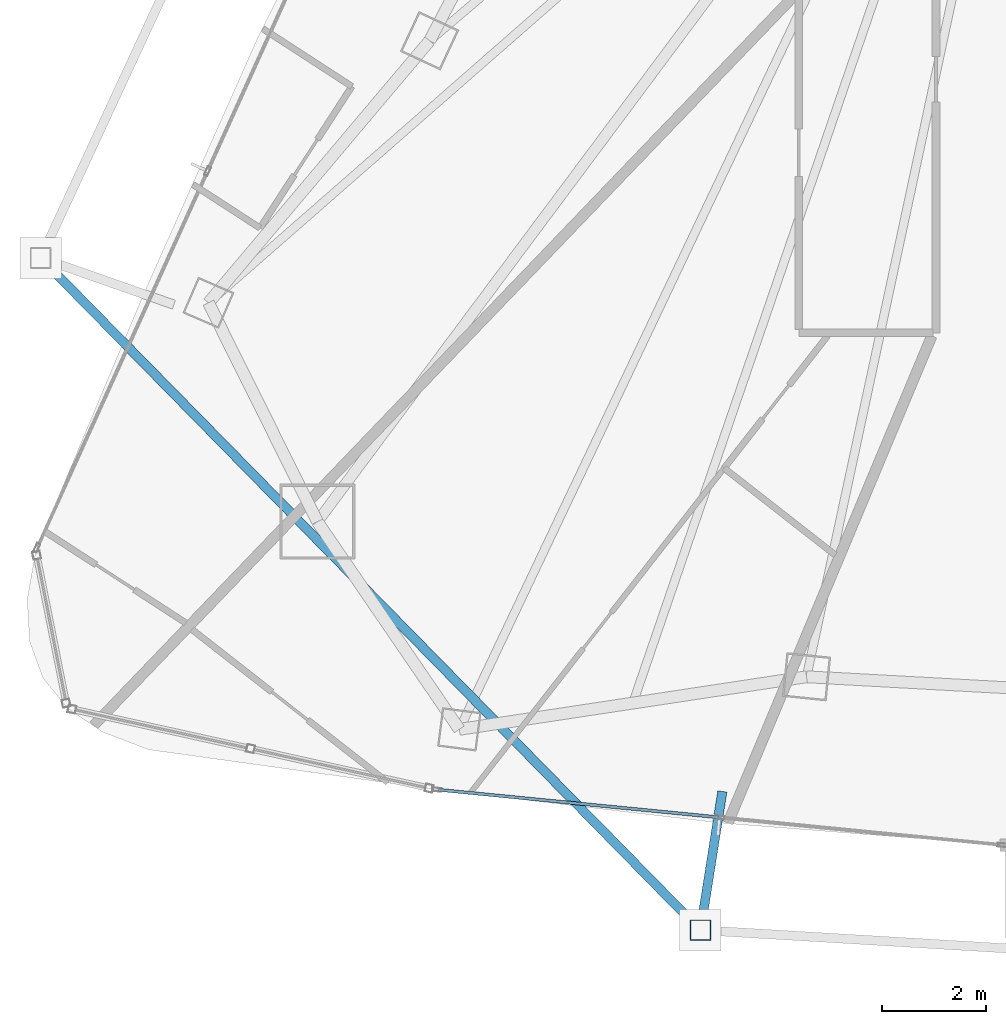
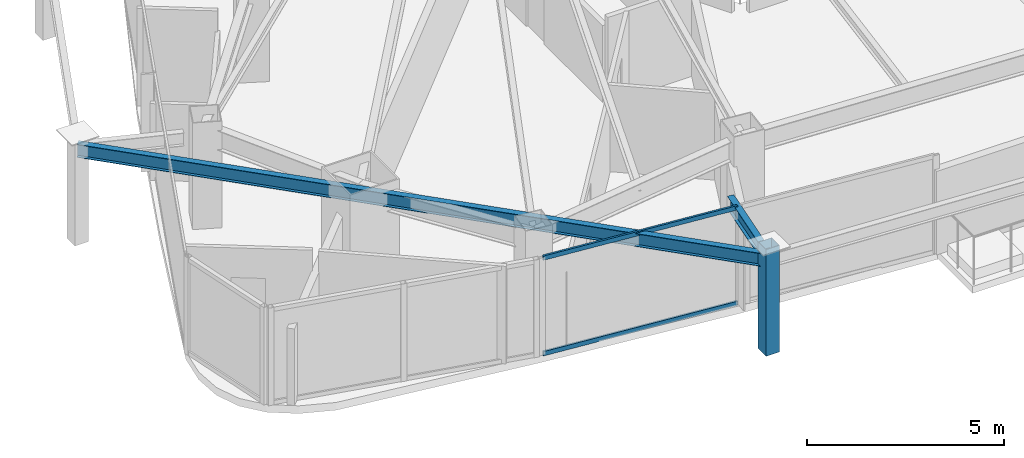
# One storey, part 3 of 31: 3 members, 2 beams, 1 element without a shape of its own.
"""IFC4 building model written with IfcOpenShell, lengths in metres."""

from ifc_helpers import new_model, si_unit, direction, frame, origin, origin_2d, place, context, subcontext, project, spatial, hollow_rectangle, i_section, extrude, material, layer, layer_set, material_profile, profile_set, type_object, element, aggregate, save


model = new_model("IFC4")

# Units and contexts
model_context = context("Model", 3, precision=1e-05, world=origin(), true_north=direction((0.0, 1.0)))
body_context = subcontext(model_context, "Body", "Model", "MODEL_VIEW")
ifc_project = project(units=[si_unit("LENGTHUNIT", "METRE"), si_unit("AREAUNIT", "SQUARE_METRE"), si_unit("VOLUMEUNIT", "CUBIC_METRE"), si_unit("PLANEANGLEUNIT", "RADIAN"), si_unit("MASSUNIT", "GRAM", prefix="KILO")], contexts=[model_context])

# Site, building, storey
site_placement = place(None, origin())
site = spatial("IfcSite", under=ifc_project, at=site_placement, CompositionType="ELEMENT")
building_placement = place(site_placement, origin())
building = spatial("IfcBuilding", under=site, at=building_placement, Name="Orvanel Arch Residences", CompositionType="ELEMENT")
storey_placement = place(building_placement, frame((0.0, 0.0, 183.64990234375)))
storey = spatial("IfcBuildingStorey", under=building, at=storey_placement, Name="L52", CompositionType="ELEMENT", Elevation=183.64990234375)

# Beams
ifc_material_1 = material(Name="Structural steel AS/NZS 3679.1 Grade 300 (300 MPa)", Category="steel")
ifc_material_profile_1 = material_profile(ifc_material_1, i_section(OverallWidth=0.177978515625, OverallDepth=0.406005859375, WebThickness=0.0078125, FlangeThickness=0.0126953125, at=origin_2d()), Name="410UB59.7")
ifc_profile_set_1 = profile_set([ifc_material_profile_1], Name="Structural steel AS/NZS 3679.1 Grade 300 (300 MPa)")
beam_type = type_object("IfcBeamType", Name="OB-410UB-EXT", PredefinedType="SPANDREL", material=ifc_profile_set_1)
beam_1_placement = place(storey_placement, frame((8.85400390625, 15.445068359375, 2.817138671875), z_axis=(0.700481005601, -0.713671045225, 0.0), x_axis=(0.713671045225, 0.700481005601, 0.0)))
element("IfcBeam", 1, at=beam_1_placement, inside=storey, type_object=beam_type, Name="L52 Outer Perimeter Floor Ring Beam 04", PredefinedType="SPANDREL", context=body_context, shape_type="SweptSolid", body=[
    extrude(i_section(OverallWidth=0.177978515625, OverallDepth=0.406005859375, WebThickness=0.0078125, FlangeThickness=0.0126953125, at=origin_2d()), origin(), (0.0, 0.0, 1.0), 18.19482421875),
])
beam_2_placement = place(storey_placement, frame((22.02294921875, 5.139892578125, 2.817138671875), z_axis=(-0.156207463616, -0.987724267349, 0.0), x_axis=(0.987724267349, -0.156207463616, 0.0)))
element("IfcBeam", 2, at=beam_2_placement, inside=storey, type_object=beam_type, Name="L52 Outer Frame Radial Tie Beam 05", PredefinedType="SPANDREL", context=body_context, shape_type="SweptSolid", body=[
    extrude(i_section(OverallWidth=0.177978515625, OverallDepth=0.406005859375, WebThickness=0.0078125, FlangeThickness=0.0126953125, at=origin_2d()), origin(), (0.0, 0.0, 1.0), 2.713134765625),
])

# Member
ifc_material_2 = material(Name="Structural steel AS/NZS 1163 C450L0 (Grade 450)", Category="steel")
ifc_material_profile_2 = material_profile(ifc_material_2, hollow_rectangle(XDim=0.39990234375, YDim=0.39990234375, WallThickness=0.01611328125, at=origin_2d()), Name="SHS400x400x16")
ifc_profile_set_2 = profile_set([ifc_material_profile_2], Name="Structural steel AS/NZS 1163 C450L0 (Grade 450)")
member_type_1 = type_object("IfcMemberType", Name="ST-400SHS-EXT", PredefinedType="STRUT", material=ifc_profile_set_2)
member_1_placement = place(storey_placement, frame((21.59912109375, 2.4599609375, 0.0), z_axis=(0.0, 0.0, 1.0), x_axis=(1.0, 0.0, 0.0)))
element("IfcMember", 3, at=member_1_placement, inside=storey, type_object=member_type_1, Name="L52 Outer Perimeter Frame Post 05", PredefinedType="STRUT", context=body_context, shape_type="SweptSolid", body=[
    extrude(hollow_rectangle(XDim=0.39990234375, YDim=0.39990234375, WallThickness=0.01611328125, at=origin_2d()), origin(), (0.0, 0.0, 1.0), 3.300048828125),
])

# Curtain wall, members
ifc_material_3 = material(Name="Bronze-anodised aluminium AA6063-T6", Category="aluminium")
ifc_layer = layer(ifc_material_3, 0.179931640625)
ifc_layer_set = layer_set([ifc_layer], Name="Bronze-anodised aluminium AA6063-T6")
curtain_wall_type = type_object("IfcCurtainWallType", Name="CW3-MID-SYS", PredefinedType="NOTDEFINED", material=ifc_layer_set)
curtain_wall_placement = place(storey_placement, origin())
curtain_wall = element("IfcCurtainWall", 4, at=curtain_wall_placement, inside=storey, type_object=curtain_wall_type, Name="L52 CW3-MID-SYS Unitised Curtain Wall", PredefinedType="NOTDEFINED")
ifc_material_profile_3 = material_profile(ifc_material_3, hollow_rectangle(XDim=0.06005859375, YDim=0.135009765625, WallThickness=0.00390625, at=origin_2d()), Name="ALU135x60x4")
ifc_profile_set_3 = profile_set([ifc_material_profile_3], Name="Bronze-anodised aluminium AA6063-T6")
member_type_2 = type_object("IfcMemberType", Name="TRN-135x60", PredefinedType="USERDEFINED", material=ifc_profile_set_3)
member_2_placement = place(storey_placement, frame((16.542724609375, 5.171142578125, 0.030029296875), z_axis=(0.995214526724, -0.097714102348, 0.0), x_axis=(0.097714102348, 0.995214526724, 0.0)))
member_2 = element("IfcMember", 5, at=member_2_placement, type_object=member_type_2, Name="CW-S3 transom 1.1", ObjectType="TRANSOM", PredefinedType="USERDEFINED", context=body_context, shape_type="SweptSolid", body=[
    extrude(hollow_rectangle(XDim=0.06005859375, YDim=0.135009765625, WallThickness=0.00390625, at=origin_2d()), origin(), (0.0, 0.0, 1.0), 5.416748046875),
])
member_3_placement = place(storey_placement, frame((16.542724609375, 5.171142578125, 2.989990234375), z_axis=(0.995214526724, -0.097714102348, 0.0), x_axis=(0.097714102348, 0.995214526724, 0.0)))
member_3 = element("IfcMember", 6, at=member_3_placement, type_object=member_type_2, Name="CW-S3 transom 1.2", ObjectType="TRANSOM", PredefinedType="USERDEFINED", context=body_context, shape_type="SweptSolid", body=[
    extrude(hollow_rectangle(XDim=0.06005859375, YDim=0.135009765625, WallThickness=0.00390625, at=origin_2d()), origin(), (0.0, 0.0, 1.0), 5.416748046875),
])
aggregate(curtain_wall, [member_2, member_3])

save(model, "model.ifc")
